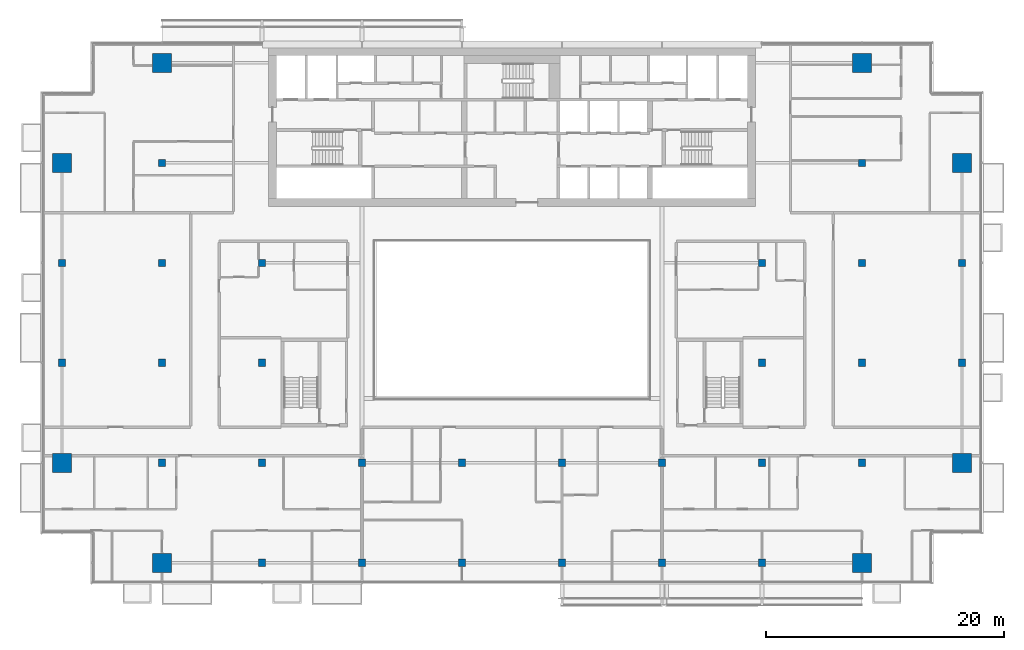
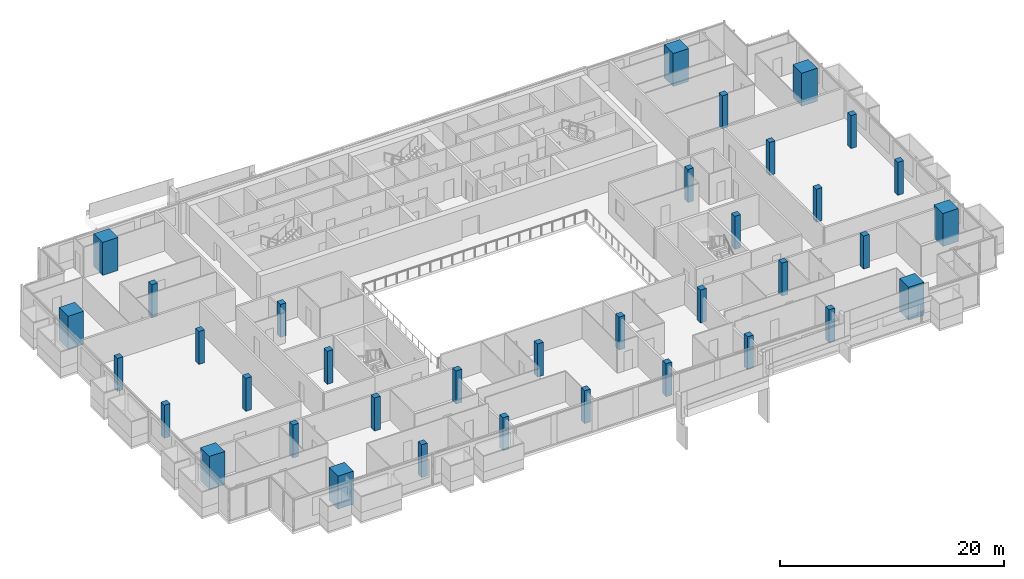
# One storey, part 1 of 27: 36 columns.
"""IFC4 building model written with IfcOpenShell, lengths in metres."""

from ifc_helpers import new_model, si_unit, direction, frame, origin, origin_2d, place, context, subcontext, project, spatial, rectangle, extrude, material, material_profile, profile_set, type_object, element, save


model = new_model("IFC4")

# Units and contexts
model_context = context("Model", 3, precision=1e-05, world=origin(), true_north=direction((0.0, 1.0)))
body_context = subcontext(model_context, "Body", "Model", "MODEL_VIEW")
ifc_project = project(units=[si_unit("LENGTHUNIT", "METRE"), si_unit("AREAUNIT", "SQUARE_METRE"), si_unit("VOLUMEUNIT", "CUBIC_METRE"), si_unit("PLANEANGLEUNIT", "RADIAN"), si_unit("MASSUNIT", "GRAM", prefix="KILO")], contexts=[model_context])

# Site, building, storey
site_placement = place(None, origin())
site = spatial("IfcSite", under=ifc_project, at=site_placement, CompositionType="ELEMENT")
building_placement = place(site_placement, origin())
building = spatial("IfcBuilding", under=site, at=building_placement, Name="Saffron Gate Tower", CompositionType="ELEMENT")
storey_placement = place(building_placement, frame((0.0, 0.0, 212.699951171875)))
storey = spatial("IfcBuildingStorey", under=building, at=storey_placement, Name="L51", CompositionType="ELEMENT", Elevation=212.699951171875)

# Columns
ifc_material_1 = material(Name="Concrete C50", Category="concrete")
ifc_material_profile_1 = material_profile(ifc_material_1, rectangle(XDim=0.60009765625, YDim=0.60009765625, at=origin_2d()))
ifc_profile_set_1 = profile_set([ifc_material_profile_1], Name="Concrete C50")
column_type_1 = type_object("IfcColumnType", Name="C2 RC 600x600 CONCRETE C50", PredefinedType="COLUMN", material=ifc_profile_set_1)
for number, where, z_axis, x_axis, name in (
    (1, (49.800048828125, 48.60009765625, 0.0), (0.0, 0.0, 1.0), (1.0, 0.0, 0.0), "C2 COLUMN X1-C"),
    (2, (49.800048828125, 57.0, 0.0), (0.0, 0.0, 1.0), (1.0, 0.0, 0.0), "C2 COLUMN X1-D"),
    (3, (58.199951171875, 40.199951171875, 0.0), (0.0, 0.0, 1.0), (1.0, 0.0, 0.0), "C2 COLUMN X2-B"),
    (4, (58.199951171875, 48.60009765625, 0.0), (0.0, 0.0, 1.0), (1.0, 0.0, 0.0), "C2 COLUMN X2-C"),
    (5, (58.199951171875, 57.0, 0.0), (0.0, 0.0, 1.0), (1.0, 0.0, 0.0), "C2 COLUMN X2-D"),
    (6, (58.199951171875, 65.39990234375, 0.0), (0.0, 0.0, 1.0), (1.0, 0.0, 0.0), "C2 COLUMN X2-E"),
    (7, (66.60009765625, 31.800048828125, 0.0), (0.0, 0.0, 1.0), (1.0, 0.0, 0.0), "C2 COLUMN X3-A"),
    (8, (66.60009765625, 40.199951171875, 0.0), (0.0, 0.0, 1.0), (1.0, 0.0, 0.0), "C2 COLUMN X3-B"),
    (9, (66.60009765625, 48.60009765625, 0.0), (0.0, 0.0, 1.0), (1.0, 0.0, 0.0), "C2 COLUMN X3-C"),
    (10, (66.60009765625, 57.0, 0.0), (0.0, 0.0, 1.0), (1.0, 0.0, 0.0), "C2 COLUMN X3-D"),
    (11, (75.0, 31.800048828125, 0.0), (0.0, 0.0, 1.0), (1.0, 0.0, 0.0), "C2 COLUMN X4-A"),
    (12, (75.0, 40.199951171875, 0.0), (0.0, 0.0, 1.0), (1.0, 0.0, 0.0), "C2 COLUMN X4-B"),
    (13, (83.39990234375, 31.800048828125, 0.0), (0.0, 0.0, 1.0), (1.0, 0.0, 0.0), "C2 COLUMN X5-A"),
    (14, (83.39990234375, 40.199951171875, 0.0), (0.0, 0.0, 1.0), (1.0, 0.0, 0.0), "C2 COLUMN X5-B"),
    (15, (91.800048828125, 31.800048828125, 0.0), (0.0, 0.0, 1.0), (1.0, 0.0, 0.0), "C2 COLUMN X6-A"),
    (16, (91.800048828125, 40.199951171875, 0.0), (0.0, 0.0, 1.0), (1.0, 0.0, 0.0), "C2 COLUMN X6-B"),
    (17, (100.199951171875, 31.800048828125, 0.0), (0.0, 0.0, 1.0), (1.0, 0.0, 0.0), "C2 COLUMN X7-A"),
    (18, (100.199951171875, 40.199951171875, 0.0), (0.0, 0.0, 1.0), (1.0, 0.0, 0.0), "C2 COLUMN X7-B"),
    (19, (108.60009765625, 31.800048828125, 0.0), (0.0, 0.0, 1.0), (1.0, 0.0, 0.0), "C2 COLUMN X8-A"),
    (20, (108.60009765625, 40.199951171875, 0.0), (0.0, 0.0, 1.0), (1.0, 0.0, 0.0), "C2 COLUMN X8-B"),
    (21, (108.60009765625, 48.60009765625, 0.0), (0.0, 0.0, 1.0), (1.0, 0.0, 0.0), "C2 COLUMN X8-C"),
    (22, (108.60009765625, 57.0, 0.0), (0.0, 0.0, 1.0), (1.0, 0.0, 0.0), "C2 COLUMN X8-D"),
    (23, (117.0, 40.199951171875, 0.0), (0.0, 0.0, 1.0), (1.0, 0.0, 0.0), "C2 COLUMN X9-B"),
    (24, (117.0, 48.60009765625, 0.0), (0.0, 0.0, 1.0), (1.0, 0.0, 0.0), "C2 COLUMN X9-C"),
    (25, (117.0, 57.0, 0.0), (0.0, 0.0, 1.0), (1.0, 0.0, 0.0), "C2 COLUMN X9-D"),
    (26, (117.0, 65.39990234375, 0.0), (0.0, 0.0, 1.0), (1.0, 0.0, 0.0), "C2 COLUMN X9-E"),
    (27, (125.39990234375, 48.60009765625, 0.0), (0.0, 0.0, 1.0), (1.0, 0.0, 0.0), "C2 COLUMN X10-C"),
    (28, (125.39990234375, 57.0, 0.0), (0.0, 0.0, 1.0), (1.0, 0.0, 0.0), "C2 COLUMN X10-D"),
):
    element("IfcColumn", number, at=place(storey_placement, frame(where, z_axis=z_axis, x_axis=x_axis)), inside=storey, type_object=column_type_1, Name=name, PredefinedType="COLUMN", context=body_context, shape_type="SweptSolid", body=[
        extrude(rectangle(XDim=0.60009765625, YDim=0.60009765625, at=origin_2d()), origin(), (0.0, 0.0, 1.0), 3.60009765625),
    ])
ifc_material_2 = material(Name="Concrete C70", Category="concrete")
ifc_material_profile_2 = material_profile(ifc_material_2, rectangle(XDim=1.60009765625, YDim=1.60009765625, at=origin_2d()))
ifc_profile_set_2 = profile_set([ifc_material_profile_2], Name="Concrete C70")
column_type_2 = type_object("IfcColumnType", Name="MC1 RC 1600x1600 CONCRETE C70", PredefinedType="COLUMN", material=ifc_profile_set_2)
for number, where, z_axis, x_axis, name in (
    (29, (49.800048828125, 40.199951171875, 0.0), (0.0, 0.0, 1.0), (1.0, 0.0, 0.0), "MC1 MEGA COLUMN X1-B"),
    (30, (49.800048828125, 65.39990234375, 0.0), (0.0, 0.0, 1.0), (1.0, 0.0, 0.0), "MC1 MEGA COLUMN X1-E"),
    (31, (58.199951171875, 31.800048828125, 0.0), (0.0, 0.0, 1.0), (1.0, 0.0, 0.0), "MC1 MEGA COLUMN X2-A"),
    (32, (58.199951171875, 73.800048828125, 0.0), (0.0, 0.0, 1.0), (1.0, 0.0, 0.0), "MC1 MEGA COLUMN X2-F"),
    (33, (117.0, 31.800048828125, 0.0), (0.0, 0.0, 1.0), (1.0, 0.0, 0.0), "MC1 MEGA COLUMN X9-A"),
    (34, (117.0, 73.800048828125, 0.0), (0.0, 0.0, 1.0), (1.0, 0.0, 0.0), "MC1 MEGA COLUMN X9-F"),
    (35, (125.39990234375, 40.199951171875, 0.0), (0.0, 0.0, 1.0), (1.0, 0.0, 0.0), "MC1 MEGA COLUMN X10-B"),
    (36, (125.39990234375, 65.39990234375, 0.0), (0.0, 0.0, 1.0), (1.0, 0.0, 0.0), "MC1 MEGA COLUMN X10-E"),
):
    element("IfcColumn", number, at=place(storey_placement, frame(where, z_axis=z_axis, x_axis=x_axis)), inside=storey, type_object=column_type_2, Name=name, PredefinedType="COLUMN", context=body_context, shape_type="SweptSolid", body=[
        extrude(rectangle(XDim=1.60009765625, YDim=1.60009765625, at=origin_2d()), origin(), (0.0, 0.0, 1.0), 3.60009765625),
    ])

save(model, "model.ifc")
